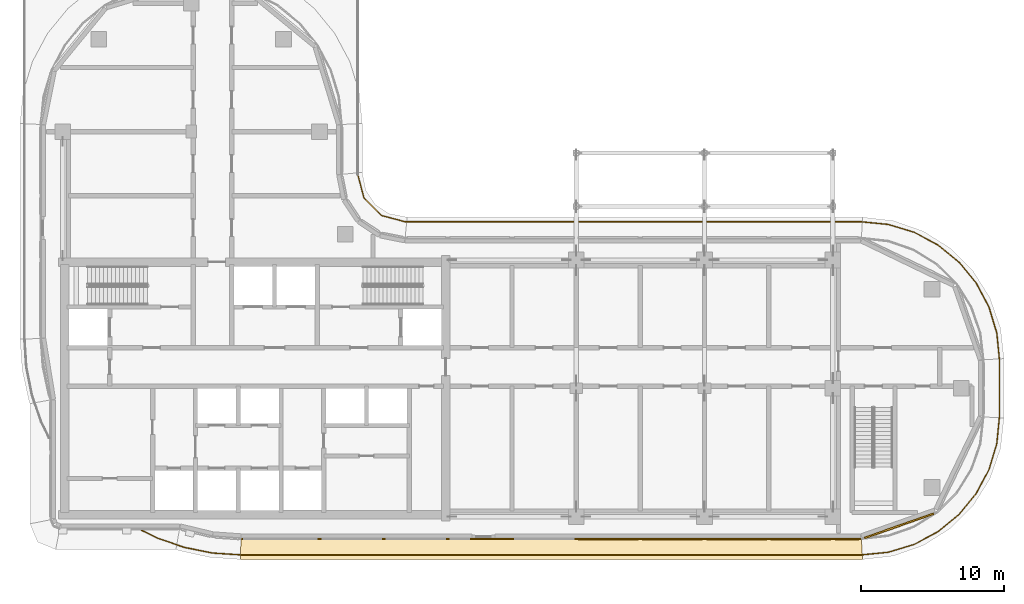
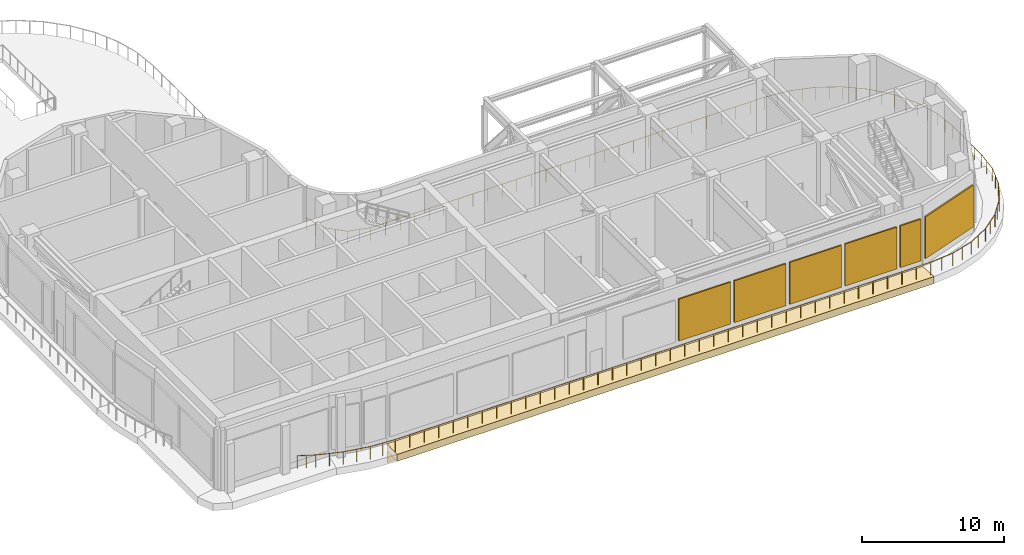
# One storey, part 15 of 18: 6 shading devices, 2 coverings, 1 railing.
"""IFC4 building model written with IfcOpenShell, lengths in metres."""

from ifc_helpers import new_model, si_unit, direction, frame, origin, origin_2d, place, context, subcontext, project, spatial, polyline, rectangle, circle, outline, extrude, material, layer, layer_set, type_object, element, save


model = new_model("IFC4")

# Units and contexts
model_context = context("Model", 3, precision=1e-05, world=origin(), true_north=direction((0.0, 1.0)))
body_context = subcontext(model_context, "Body", "Model", "MODEL_VIEW")
ifc_project = project(units=[si_unit("LENGTHUNIT", "METRE"), si_unit("AREAUNIT", "SQUARE_METRE"), si_unit("VOLUMEUNIT", "CUBIC_METRE"), si_unit("PLANEANGLEUNIT", "RADIAN"), si_unit("MASSUNIT", "GRAM", prefix="KILO")], contexts=[model_context])

# Site, building, storey
site_placement = place(None, origin())
site = spatial("IfcSite", under=ifc_project, at=site_placement, CompositionType="ELEMENT")
building_placement = place(site_placement, origin())
building = spatial("IfcBuilding", under=site, at=building_placement, Name="Ogive Portal Towers", CompositionType="ELEMENT")
storey_placement = place(building_placement, frame((0.0, 0.0, 190.300048828125)))
storey = spatial("IfcBuildingStorey", under=building, at=storey_placement, Name="L47", CompositionType="ELEMENT", Elevation=190.300048828125)

# Railing
ifc_material_1 = material(Name="Steel S355", Category="steel")
railing_type = type_object("IfcRailingType", Name="BALUSTRADE GLASS 1100", PredefinedType="BALUSTRADE", material=ifc_material_1)
railing_placement = place(storey_placement, frame((52.179931640625, 45.5, 0.0)))
element("IfcRailing", 1, at=railing_placement, inside=storey, type_object=railing_type, Name="UNDER STUB ROOF GUARD 3", PredefinedType="BALUSTRADE", context=body_context, shape_type="SweptSolid", body=[
    extrude(circle(Radius=0.02392578125, at=origin_2d()), frame((0.0, 0.0, 1.076171875), z_axis=(0.258979878326, -0.965882716805, 0.0), x_axis=(0.965882716805, 0.258979878326, 0.0)), (0.0, 0.0, 1.0), 1.718505859375),
    extrude(circle(Radius=0.02392578125, at=origin_2d()), frame((0.445068359375, -1.659912109375, 1.076171875), z_axis=(0.707106781187, -0.707106781187, 0.0), x_axis=(0.707106781187, 0.707106781187, 0.0)), (0.0, 0.0, 1.0), 1.718505859375),
    extrude(circle(Radius=0.02392578125, at=origin_2d()), frame((1.66015625, -2.875, 1.076171875), z_axis=(0.965882716805, -0.258979878326, 0.0), x_axis=(0.258979878326, 0.965882716805, 0.0)), (0.0, 0.0, 1.0), 1.718505859375),
    extrude(circle(Radius=0.02392578125, at=origin_2d()), frame((3.320068359375, -3.320068359375, 1.076171875), z_axis=(1.0, 0.0, 0.0), x_axis=(0.0, 1.0, 0.0)), (0.0, 0.0, 1.0), 32.0),
    extrude(circle(Radius=0.02392578125, at=origin_2d()), frame((35.320068359375, -3.320068359375, 1.076171875), z_axis=(0.995180131333, -0.09806378638, 0.0), x_axis=(0.09806378638, 0.995180131333, 0.0)), (0.0, 0.0, 1.0), 1.89697265625),
    extrude(circle(Radius=0.02392578125, at=origin_2d()), frame((37.2080078125, -3.506103515625, 1.076171875), z_axis=(0.956961630241, -0.290214469394, 0.0), x_axis=(0.290214469394, 0.956961630241, 0.0)), (0.0, 0.0, 1.0), 1.89794921875),
    extrude(circle(Radius=0.02392578125, at=origin_2d()), frame((39.024169921875, -4.056884765625, 1.076171875), z_axis=(0.882060737099, -0.47113570876, 0.0), x_axis=(0.47113570876, 0.882060737099, 0.0)), (0.0, 0.0, 1.0), 1.897705078125),
    extrude(circle(Radius=0.02392578125, at=origin_2d()), frame((40.697998046875, -4.950927734375, 1.076171875), z_axis=(0.772976315483, -0.634434879008, 0.0), x_axis=(0.634434879008, 0.772976315483, 0.0)), (0.0, 0.0, 1.0), 1.89794921875),
    extrude(circle(Radius=0.02392578125, at=origin_2d()), frame((42.1650390625, -6.155029296875, 1.076171875), z_axis=(0.634434879008, -0.772976315483, 0.0), x_axis=(0.772976315483, 0.634434879008, 0.0)), (0.0, 0.0, 1.0), 1.89794921875),
    extrude(circle(Radius=0.02392578125, at=origin_2d()), frame((43.369140625, -7.6220703125, 1.076171875), z_axis=(0.47113570876, -0.882060737099, 0.0), x_axis=(0.882060737099, 0.47113570876, 0.0)), (0.0, 0.0, 1.0), 1.897705078125),
    extrude(circle(Radius=0.02392578125, at=origin_2d()), frame((44.26318359375, -9.2958984375, 1.076171875), z_axis=(0.290214469394, -0.956961630241, 0.0), x_axis=(0.956961630241, 0.290214469394, 0.0)), (0.0, 0.0, 1.0), 1.89794921875),
    extrude(circle(Radius=0.02392578125, at=origin_2d()), frame((44.81396484375, -11.112060546875, 1.076171875), z_axis=(0.09806378638, -0.995180131333, 0.0), x_axis=(0.995180131333, 0.09806378638, 0.0)), (0.0, 0.0, 1.0), 1.89697265625),
    extrude(circle(Radius=0.02392578125, at=origin_2d()), frame((45.0, -13.0, 1.076171875), z_axis=(0.0, -1.0, 0.0), x_axis=(1.0, 0.0, 0.0)), (0.0, 0.0, 1.0), 4.0),
    extrude(circle(Radius=0.02392578125, at=origin_2d()), frame((45.0, -17.0, 1.076171875), z_axis=(-0.09806378638, -0.995180131333, 0.0), x_axis=(0.995180131333, -0.09806378638, 0.0)), (0.0, 0.0, 1.0), 1.89697265625),
    extrude(circle(Radius=0.02392578125, at=origin_2d()), frame((44.81396484375, -18.887939453125, 1.076171875), z_axis=(-0.290214469394, -0.956961630241, 0.0), x_axis=(0.956961630241, -0.290214469394, 0.0)), (0.0, 0.0, 1.0), 1.89794921875),
    extrude(circle(Radius=0.02392578125, at=origin_2d()), frame((44.26318359375, -20.7041015625, 1.076171875), z_axis=(-0.47113570876, -0.882060737099, 0.0), x_axis=(0.882060737099, -0.47113570876, 0.0)), (0.0, 0.0, 1.0), 1.897705078125),
    extrude(circle(Radius=0.02392578125, at=origin_2d()), frame((43.369140625, -22.3779296875, 1.076171875), z_axis=(-0.634434879008, -0.772976315483, 0.0), x_axis=(0.772976315483, -0.634434879008, 0.0)), (0.0, 0.0, 1.0), 1.89794921875),
    extrude(circle(Radius=0.02392578125, at=origin_2d()), frame((42.1650390625, -23.844970703125, 1.076171875), z_axis=(-0.772976315483, -0.634434879008, 0.0), x_axis=(0.634434879008, -0.772976315483, 0.0)), (0.0, 0.0, 1.0), 1.89794921875),
    extrude(circle(Radius=0.02392578125, at=origin_2d()), frame((40.697998046875, -25.049072265625, 1.076171875), z_axis=(-0.882060737099, -0.47113570876, 0.0), x_axis=(0.47113570876, -0.882060737099, 0.0)), (0.0, 0.0, 1.0), 1.897705078125),
    extrude(circle(Radius=0.02392578125, at=origin_2d()), frame((39.024169921875, -25.943115234375, 1.076171875), z_axis=(-0.956961630241, -0.290214469394, 0.0), x_axis=(0.290214469394, -0.956961630241, 0.0)), (0.0, 0.0, 1.0), 1.89794921875),
    extrude(circle(Radius=0.02392578125, at=origin_2d()), frame((37.2080078125, -26.493896484375, 1.076171875), z_axis=(-0.995180131333, -0.09806378638, 0.0), x_axis=(0.09806378638, -0.995180131333, 0.0)), (0.0, 0.0, 1.0), 1.89697265625),
    extrude(circle(Radius=0.02392578125, at=origin_2d()), frame((35.320068359375, -26.679931640625, 1.076171875), z_axis=(-1.0, 0.0, 0.0), x_axis=(0.0, -1.0, 0.0)), (0.0, 0.0, 1.0), 43.5),
    extrude(circle(Radius=0.02392578125, at=origin_2d()), frame((-8.179931640625, -26.679931640625, 1.076171875), z_axis=(-0.997857475557, 0.065425212842, 0.0), x_axis=(-0.065425212842, -0.997857475557, 0.0)), (0.0, 0.0, 1.0), 1.985107421875),
    extrude(circle(Radius=0.02392578125, at=origin_2d()), frame((-10.160888671875, -26.550048828125, 1.076171875), z_axis=(-0.980835154849, 0.194839418528, 0.0), x_axis=(-0.194839418528, -0.980835154849, 0.0)), (0.0, 0.0, 1.0), 1.986083984375),
    extrude(circle(Radius=0.02392578125, at=origin_2d()), frame((-12.10888671875, -26.1630859375, 1.076171875), z_axis=(-0.94678548362, 0.321865263747, 0.0), x_axis=(-0.321865263747, -0.94678548362, 0.0)), (0.0, 0.0, 1.0), 1.98583984375),
    extrude(circle(Radius=0.02392578125, at=origin_2d()), frame((-13.989013671875, -25.52392578125, 1.076171875), z_axis=(-0.897043432298, 0.441942395082, 0.0), x_axis=(-0.441942395082, -0.897043432298, 0.0)), (0.0, 0.0, 1.0), 1.298828125),
    extrude(circle(Radius=0.02099609375, at=origin_2d()), origin(), (0.0, 0.0, 1.0), 1.052001953125),
    extrude(circle(Radius=0.02099609375, at=origin_2d()), frame((0.22265625, -0.830078125, 0.0)), (0.0, 0.0, 1.0), 1.052001953125),
    extrude(circle(Radius=0.02099609375, at=origin_2d()), frame((0.445068359375, -1.659912109375, 0.0)), (0.0, 0.0, 1.0), 1.052001953125),
    extrude(circle(Radius=0.02099609375, at=origin_2d()), frame((1.052734375, -2.267578125, 0.0)), (0.0, 0.0, 1.0), 1.052001953125),
    extrude(circle(Radius=0.02099609375, at=origin_2d()), frame((1.66015625, -2.875, 0.0)), (0.0, 0.0, 1.0), 1.052001953125),
    extrude(circle(Radius=0.02099609375, at=origin_2d()), frame((2.490234375, -3.09765625, 0.0)), (0.0, 0.0, 1.0), 1.052001953125),
    extrude(circle(Radius=0.02099609375, at=origin_2d()), frame((3.320068359375, -3.320068359375, 0.0)), (0.0, 0.0, 1.0), 1.052001953125),
    extrude(circle(Radius=0.02099609375, at=origin_2d()), frame((4.50537109375, -3.320068359375, 0.0)), (0.0, 0.0, 1.0), 1.052001953125),
    extrude(circle(Radius=0.02099609375, at=origin_2d()), frame((5.6904296875, -3.320068359375, 0.0)), (0.0, 0.0, 1.0), 1.052001953125),
    extrude(circle(Radius=0.02099609375, at=origin_2d()), frame((6.875732421875, -3.320068359375, 0.0)), (0.0, 0.0, 1.0), 1.052001953125),
    extrude(circle(Radius=0.02099609375, at=origin_2d()), frame((8.060791015625, -3.320068359375, 0.0)), (0.0, 0.0, 1.0), 1.052001953125),
    extrude(circle(Radius=0.02099609375, at=origin_2d()), frame((9.24609375, -3.320068359375, 0.0)), (0.0, 0.0, 1.0), 1.052001953125),
    extrude(circle(Radius=0.02099609375, at=origin_2d()), frame((10.43115234375, -3.320068359375, 0.0)), (0.0, 0.0, 1.0), 1.052001953125),
    extrude(circle(Radius=0.02099609375, at=origin_2d()), frame((11.616455078125, -3.320068359375, 0.0)), (0.0, 0.0, 1.0), 1.052001953125),
    extrude(circle(Radius=0.02099609375, at=origin_2d()), frame((12.801513671875, -3.320068359375, 0.0)), (0.0, 0.0, 1.0), 1.052001953125),
    extrude(circle(Radius=0.02099609375, at=origin_2d()), frame((13.98681640625, -3.320068359375, 0.0)), (0.0, 0.0, 1.0), 1.052001953125),
    extrude(circle(Radius=0.02099609375, at=origin_2d()), frame((15.171875, -3.320068359375, 0.0)), (0.0, 0.0, 1.0), 1.052001953125),
    extrude(circle(Radius=0.02099609375, at=origin_2d()), frame((16.357177734375, -3.320068359375, 0.0)), (0.0, 0.0, 1.0), 1.052001953125),
    extrude(circle(Radius=0.02099609375, at=origin_2d()), frame((17.542236328125, -3.320068359375, 0.0)), (0.0, 0.0, 1.0), 1.052001953125),
    extrude(circle(Radius=0.02099609375, at=origin_2d()), frame((18.7275390625, -3.320068359375, 0.0)), (0.0, 0.0, 1.0), 1.052001953125),
    extrude(circle(Radius=0.02099609375, at=origin_2d()), frame((19.91259765625, -3.320068359375, 0.0)), (0.0, 0.0, 1.0), 1.052001953125),
    extrude(circle(Radius=0.02099609375, at=origin_2d()), frame((21.097900390625, -3.320068359375, 0.0)), (0.0, 0.0, 1.0), 1.052001953125),
    extrude(circle(Radius=0.02099609375, at=origin_2d()), frame((22.282958984375, -3.320068359375, 0.0)), (0.0, 0.0, 1.0), 1.052001953125),
    extrude(circle(Radius=0.02099609375, at=origin_2d()), frame((23.46826171875, -3.320068359375, 0.0)), (0.0, 0.0, 1.0), 1.052001953125),
    extrude(circle(Radius=0.02099609375, at=origin_2d()), frame((24.6533203125, -3.320068359375, 0.0)), (0.0, 0.0, 1.0), 1.052001953125),
    extrude(circle(Radius=0.02099609375, at=origin_2d()), frame((25.838623046875, -3.320068359375, 0.0)), (0.0, 0.0, 1.0), 1.052001953125),
    extrude(circle(Radius=0.02099609375, at=origin_2d()), frame((27.023681640625, -3.320068359375, 0.0)), (0.0, 0.0, 1.0), 1.052001953125),
    extrude(circle(Radius=0.02099609375, at=origin_2d()), frame((28.208984375, -3.320068359375, 0.0)), (0.0, 0.0, 1.0), 1.052001953125),
    extrude(circle(Radius=0.02099609375, at=origin_2d()), frame((29.39404296875, -3.320068359375, 0.0)), (0.0, 0.0, 1.0), 1.052001953125),
    extrude(circle(Radius=0.02099609375, at=origin_2d()), frame((30.579345703125, -3.320068359375, 0.0)), (0.0, 0.0, 1.0), 1.052001953125),
    extrude(circle(Radius=0.02099609375, at=origin_2d()), frame((31.764404296875, -3.320068359375, 0.0)), (0.0, 0.0, 1.0), 1.052001953125),
    extrude(circle(Radius=0.02099609375, at=origin_2d()), frame((32.94970703125, -3.320068359375, 0.0)), (0.0, 0.0, 1.0), 1.052001953125),
    extrude(circle(Radius=0.02099609375, at=origin_2d()), frame((34.134765625, -3.320068359375, 0.0)), (0.0, 0.0, 1.0), 1.052001953125),
    extrude(circle(Radius=0.02099609375, at=origin_2d()), frame((35.320068359375, -3.320068359375, 0.0)), (0.0, 0.0, 1.0), 1.052001953125),
    extrude(circle(Radius=0.02099609375, at=origin_2d()), frame((36.26416015625, -3.4130859375, 0.0)), (0.0, 0.0, 1.0), 1.052001953125),
    extrude(circle(Radius=0.02099609375, at=origin_2d()), frame((37.2080078125, -3.506103515625, 0.0)), (0.0, 0.0, 1.0), 1.052001953125),
    extrude(circle(Radius=0.02099609375, at=origin_2d()), frame((38.1162109375, -3.781494140625, 0.0)), (0.0, 0.0, 1.0), 1.052001953125),
    extrude(circle(Radius=0.02099609375, at=origin_2d()), frame((39.024169921875, -4.056884765625, 0.0)), (0.0, 0.0, 1.0), 1.052001953125),
    extrude(circle(Radius=0.02099609375, at=origin_2d()), frame((39.861083984375, -4.50390625, 0.0)), (0.0, 0.0, 1.0), 1.052001953125),
    extrude(circle(Radius=0.02099609375, at=origin_2d()), frame((40.697998046875, -4.950927734375, 0.0)), (0.0, 0.0, 1.0), 1.052001953125),
    extrude(circle(Radius=0.02099609375, at=origin_2d()), frame((41.431640625, -5.552978515625, 0.0)), (0.0, 0.0, 1.0), 1.052001953125),
    extrude(circle(Radius=0.02099609375, at=origin_2d()), frame((42.1650390625, -6.155029296875, 0.0)), (0.0, 0.0, 1.0), 1.052001953125),
    extrude(circle(Radius=0.02099609375, at=origin_2d()), frame((42.76708984375, -6.888671875, 0.0)), (0.0, 0.0, 1.0), 1.052001953125),
    extrude(circle(Radius=0.02099609375, at=origin_2d()), frame((43.369140625, -7.6220703125, 0.0)), (0.0, 0.0, 1.0), 1.052001953125),
    extrude(circle(Radius=0.02099609375, at=origin_2d()), frame((43.816162109375, -8.458984375, 0.0)), (0.0, 0.0, 1.0), 1.052001953125),
    extrude(circle(Radius=0.02099609375, at=origin_2d()), frame((44.26318359375, -9.2958984375, 0.0)), (0.0, 0.0, 1.0), 1.052001953125),
    extrude(circle(Radius=0.02099609375, at=origin_2d()), frame((44.53857421875, -10.2041015625, 0.0)), (0.0, 0.0, 1.0), 1.052001953125),
    extrude(circle(Radius=0.02099609375, at=origin_2d()), frame((44.81396484375, -11.112060546875, 0.0)), (0.0, 0.0, 1.0), 1.052001953125),
    extrude(circle(Radius=0.02099609375, at=origin_2d()), frame((44.906982421875, -12.05615234375, 0.0)), (0.0, 0.0, 1.0), 1.052001953125),
    extrude(circle(Radius=0.02099609375, at=origin_2d()), frame((45.0, -13.0, 0.0)), (0.0, 0.0, 1.0), 1.052001953125),
    extrude(circle(Radius=0.02099609375, at=origin_2d()), frame((45.0, -14.0, 0.0)), (0.0, 0.0, 1.0), 1.052001953125),
    extrude(circle(Radius=0.02099609375, at=origin_2d()), frame((45.0, -15.0, 0.0)), (0.0, 0.0, 1.0), 1.052001953125),
    extrude(circle(Radius=0.02099609375, at=origin_2d()), frame((45.0, -16.0, 0.0)), (0.0, 0.0, 1.0), 1.052001953125),
    extrude(circle(Radius=0.02099609375, at=origin_2d()), frame((45.0, -17.0, 0.0)), (0.0, 0.0, 1.0), 1.052001953125),
    extrude(circle(Radius=0.02099609375, at=origin_2d()), frame((44.906982421875, -17.94384765625, 0.0)), (0.0, 0.0, 1.0), 1.052001953125),
    extrude(circle(Radius=0.02099609375, at=origin_2d()), frame((44.81396484375, -18.887939453125, 0.0)), (0.0, 0.0, 1.0), 1.052001953125),
    extrude(circle(Radius=0.02099609375, at=origin_2d()), frame((44.53857421875, -19.7958984375, 0.0)), (0.0, 0.0, 1.0), 1.052001953125),
    extrude(circle(Radius=0.02099609375, at=origin_2d()), frame((44.26318359375, -20.7041015625, 0.0)), (0.0, 0.0, 1.0), 1.052001953125),
    extrude(circle(Radius=0.02099609375, at=origin_2d()), frame((43.816162109375, -21.541015625, 0.0)), (0.0, 0.0, 1.0), 1.052001953125),
    extrude(circle(Radius=0.02099609375, at=origin_2d()), frame((43.369140625, -22.3779296875, 0.0)), (0.0, 0.0, 1.0), 1.052001953125),
    extrude(circle(Radius=0.02099609375, at=origin_2d()), frame((42.76708984375, -23.111328125, 0.0)), (0.0, 0.0, 1.0), 1.052001953125),
    extrude(circle(Radius=0.02099609375, at=origin_2d()), frame((42.1650390625, -23.844970703125, 0.0)), (0.0, 0.0, 1.0), 1.052001953125),
    extrude(circle(Radius=0.02099609375, at=origin_2d()), frame((41.431640625, -24.447021484375, 0.0)), (0.0, 0.0, 1.0), 1.052001953125),
    extrude(circle(Radius=0.02099609375, at=origin_2d()), frame((40.697998046875, -25.049072265625, 0.0)), (0.0, 0.0, 1.0), 1.052001953125),
    extrude(circle(Radius=0.02099609375, at=origin_2d()), frame((39.861083984375, -25.49609375, 0.0)), (0.0, 0.0, 1.0), 1.052001953125),
    extrude(circle(Radius=0.02099609375, at=origin_2d()), frame((39.024169921875, -25.943115234375, 0.0)), (0.0, 0.0, 1.0), 1.052001953125),
    extrude(circle(Radius=0.02099609375, at=origin_2d()), frame((38.1162109375, -26.218505859375, 0.0)), (0.0, 0.0, 1.0), 1.052001953125),
    extrude(circle(Radius=0.02099609375, at=origin_2d()), frame((37.2080078125, -26.493896484375, 0.0)), (0.0, 0.0, 1.0), 1.052001953125),
    extrude(circle(Radius=0.02099609375, at=origin_2d()), frame((36.26416015625, -26.5869140625, 0.0)), (0.0, 0.0, 1.0), 1.052001953125),
    extrude(circle(Radius=0.02099609375, at=origin_2d()), frame((35.320068359375, -26.679931640625, 0.0)), (0.0, 0.0, 1.0), 1.052001953125),
    extrude(circle(Radius=0.02099609375, at=origin_2d()), frame((34.144287109375, -26.679931640625, 0.0)), (0.0, 0.0, 1.0), 1.052001953125),
    extrude(circle(Radius=0.02099609375, at=origin_2d()), frame((32.96875, -26.679931640625, 0.0)), (0.0, 0.0, 1.0), 1.052001953125),
    extrude(circle(Radius=0.02099609375, at=origin_2d()), frame((31.79296875, -26.679931640625, 0.0)), (0.0, 0.0, 1.0), 1.052001953125),
    extrude(circle(Radius=0.02099609375, at=origin_2d()), frame((30.617431640625, -26.679931640625, 0.0)), (0.0, 0.0, 1.0), 1.052001953125),
    extrude(circle(Radius=0.02099609375, at=origin_2d()), frame((29.441650390625, -26.679931640625, 0.0)), (0.0, 0.0, 1.0), 1.052001953125),
    extrude(circle(Radius=0.02099609375, at=origin_2d()), frame((28.26611328125, -26.679931640625, 0.0)), (0.0, 0.0, 1.0), 1.052001953125),
    extrude(circle(Radius=0.02099609375, at=origin_2d()), frame((27.09033203125, -26.679931640625, 0.0)), (0.0, 0.0, 1.0), 1.052001953125),
    extrude(circle(Radius=0.02099609375, at=origin_2d()), frame((25.91455078125, -26.679931640625, 0.0)), (0.0, 0.0, 1.0), 1.052001953125),
    extrude(circle(Radius=0.02099609375, at=origin_2d()), frame((24.739013671875, -26.679931640625, 0.0)), (0.0, 0.0, 1.0), 1.052001953125),
    extrude(circle(Radius=0.02099609375, at=origin_2d()), frame((23.563232421875, -26.679931640625, 0.0)), (0.0, 0.0, 1.0), 1.052001953125),
    extrude(circle(Radius=0.02099609375, at=origin_2d()), frame((22.3876953125, -26.679931640625, 0.0)), (0.0, 0.0, 1.0), 1.052001953125),
    extrude(circle(Radius=0.02099609375, at=origin_2d()), frame((21.2119140625, -26.679931640625, 0.0)), (0.0, 0.0, 1.0), 1.052001953125),
    extrude(circle(Radius=0.02099609375, at=origin_2d()), frame((20.036376953125, -26.679931640625, 0.0)), (0.0, 0.0, 1.0), 1.052001953125),
    extrude(circle(Radius=0.02099609375, at=origin_2d()), frame((18.860595703125, -26.679931640625, 0.0)), (0.0, 0.0, 1.0), 1.052001953125),
    extrude(circle(Radius=0.02099609375, at=origin_2d()), frame((17.684814453125, -26.679931640625, 0.0)), (0.0, 0.0, 1.0), 1.052001953125),
    extrude(circle(Radius=0.02099609375, at=origin_2d()), frame((16.50927734375, -26.679931640625, 0.0)), (0.0, 0.0, 1.0), 1.052001953125),
    extrude(circle(Radius=0.02099609375, at=origin_2d()), frame((15.33349609375, -26.679931640625, 0.0)), (0.0, 0.0, 1.0), 1.052001953125),
    extrude(circle(Radius=0.02099609375, at=origin_2d()), frame((14.157958984375, -26.679931640625, 0.0)), (0.0, 0.0, 1.0), 1.052001953125),
    extrude(circle(Radius=0.02099609375, at=origin_2d()), frame((12.982177734375, -26.679931640625, 0.0)), (0.0, 0.0, 1.0), 1.052001953125),
    extrude(circle(Radius=0.02099609375, at=origin_2d()), frame((11.806640625, -26.679931640625, 0.0)), (0.0, 0.0, 1.0), 1.052001953125),
    extrude(circle(Radius=0.02099609375, at=origin_2d()), frame((10.630859375, -26.679931640625, 0.0)), (0.0, 0.0, 1.0), 1.052001953125),
    extrude(circle(Radius=0.02099609375, at=origin_2d()), frame((9.455322265625, -26.679931640625, 0.0)), (0.0, 0.0, 1.0), 1.052001953125),
    extrude(circle(Radius=0.02099609375, at=origin_2d()), frame((8.279541015625, -26.679931640625, 0.0)), (0.0, 0.0, 1.0), 1.052001953125),
    extrude(circle(Radius=0.02099609375, at=origin_2d()), frame((7.103759765625, -26.679931640625, 0.0)), (0.0, 0.0, 1.0), 1.052001953125),
    extrude(circle(Radius=0.02099609375, at=origin_2d()), frame((5.92822265625, -26.679931640625, 0.0)), (0.0, 0.0, 1.0), 1.052001953125),
    extrude(circle(Radius=0.02099609375, at=origin_2d()), frame((4.75244140625, -26.679931640625, 0.0)), (0.0, 0.0, 1.0), 1.052001953125),
    extrude(circle(Radius=0.02099609375, at=origin_2d()), frame((3.576904296875, -26.679931640625, 0.0)), (0.0, 0.0, 1.0), 1.052001953125),
    extrude(circle(Radius=0.02099609375, at=origin_2d()), frame((2.401123046875, -26.679931640625, 0.0)), (0.0, 0.0, 1.0), 1.052001953125),
    extrude(circle(Radius=0.02099609375, at=origin_2d()), frame((1.2255859375, -26.679931640625, 0.0)), (0.0, 0.0, 1.0), 1.052001953125),
    extrude(circle(Radius=0.02099609375, at=origin_2d()), frame((0.0498046875, -26.679931640625, 0.0)), (0.0, 0.0, 1.0), 1.052001953125),
    extrude(circle(Radius=0.02099609375, at=origin_2d()), frame((-1.1259765625, -26.679931640625, 0.0)), (0.0, 0.0, 1.0), 1.052001953125),
    extrude(circle(Radius=0.02099609375, at=origin_2d()), frame((-2.301513671875, -26.679931640625, 0.0)), (0.0, 0.0, 1.0), 1.052001953125),
    extrude(circle(Radius=0.02099609375, at=origin_2d()), frame((-3.477294921875, -26.679931640625, 0.0)), (0.0, 0.0, 1.0), 1.052001953125),
    extrude(circle(Radius=0.02099609375, at=origin_2d()), frame((-4.65283203125, -26.679931640625, 0.0)), (0.0, 0.0, 1.0), 1.052001953125),
    extrude(circle(Radius=0.02099609375, at=origin_2d()), frame((-5.82861328125, -26.679931640625, 0.0)), (0.0, 0.0, 1.0), 1.052001953125),
    extrude(circle(Radius=0.02099609375, at=origin_2d()), frame((-7.004150390625, -26.679931640625, 0.0)), (0.0, 0.0, 1.0), 1.052001953125),
    extrude(circle(Radius=0.02099609375, at=origin_2d()), frame((-8.179931640625, -26.679931640625, 0.0)), (0.0, 0.0, 1.0), 1.052001953125),
    extrude(circle(Radius=0.02099609375, at=origin_2d()), frame((-9.17041015625, -26.614990234375, 0.0)), (0.0, 0.0, 1.0), 1.052001953125),
    extrude(circle(Radius=0.02099609375, at=origin_2d()), frame((-10.160888671875, -26.550048828125, 0.0)), (0.0, 0.0, 1.0), 1.052001953125),
    extrude(circle(Radius=0.02099609375, at=origin_2d()), frame((-11.134765625, -26.3564453125, 0.0)), (0.0, 0.0, 1.0), 1.052001953125),
    extrude(circle(Radius=0.02099609375, at=origin_2d()), frame((-12.10888671875, -26.1630859375, 0.0)), (0.0, 0.0, 1.0), 1.052001953125),
    extrude(circle(Radius=0.02099609375, at=origin_2d()), frame((-13.048828125, -25.843505859375, 0.0)), (0.0, 0.0, 1.0), 1.052001953125),
    extrude(circle(Radius=0.02099609375, at=origin_2d()), frame((-13.989013671875, -25.52392578125, 0.0)), (0.0, 0.0, 1.0), 1.052001953125),
    extrude(circle(Radius=0.02099609375, at=origin_2d()), frame((-14.571533203125, -25.23681640625, 0.0)), (0.0, 0.0, 1.0), 1.052001953125),
    extrude(circle(Radius=0.02099609375, at=origin_2d()), frame((-15.154052734375, -24.949951171875, 0.0)), (0.0, 0.0, 1.0), 1.052001953125),
])

# Shading devices
ifc_material_2 = material(Name="Aluminium 6063 anodised", Category="aluminium")
ifc_layer_1 = layer(ifc_material_2, 0.1201171875)
ifc_layer_set_1 = layer_set([ifc_layer_1], Name="LOUVRE BANK ALUMINIUM")
shading_device_type = type_object("IfcShadingDeviceType", Name="LOUVRE BANK ALUMINIUM", PredefinedType="USERDEFINED", material=ifc_layer_set_1)
for number, where, z_axis, x_axis, name in (
    (2, (69.75, 19.93994140625, 0.599853515625), (0.0, 0.0, 1.0), (1.0, 0.0, 0.0), "Louvre bank 3"),
    (3, (74.25, 19.93994140625, 0.599853515625), (0.0, 0.0, 1.0), (1.0, 0.0, 0.0), "Louvre bank 4"),
    (4, (78.75, 19.93994140625, 0.599853515625), (0.0, 0.0, 1.0), (1.0, 0.0, 0.0), "Louvre bank 5"),
    (5, (83.25, 19.93994140625, 0.599853515625), (0.0, 0.0, 1.0), (1.0, 0.0, 0.0), "Louvre bank 6"),
):
    element("IfcShadingDevice", number, at=place(storey_placement, frame(where, z_axis=z_axis, x_axis=x_axis)), inside=storey, type_object=shading_device_type, Name=name, ObjectType="LOUVRE", PredefinedType="USERDEFINED", context=body_context, shape_type="SweptSolid", body=[
        extrude(rectangle(XDim=4.199951171875, YDim=0.1201171875, at=origin_2d()), origin(), (0.0, 0.0, 1.0), 3.60009765625),
    ])
shading_device_1_placement = place(storey_placement, frame((86.474609375, 19.93994140625, 0.599853515625), z_axis=(0.0, 0.0, 1.0), x_axis=(1.0, 0.0, 0.0)))
element("IfcShadingDevice", 6, at=shading_device_1_placement, inside=storey, type_object=shading_device_type, Name="Louvre bank 7", ObjectType="LOUVRE", PredefinedType="USERDEFINED", context=body_context, shape_type="SweptSolid", body=[
    extrude(rectangle(XDim=1.64892578125, YDim=0.1201171875, at=origin_2d()), origin(), (0.0, 0.0, 1.0), 3.60009765625),
])
shading_device_2_placement = place(storey_placement, frame((90.135009765625, 20.8583984375, 0.599853515625), z_axis=(0.0, 0.0, 1.0), x_axis=(0.943883330307, 0.33027906196, 0.0)))
element("IfcShadingDevice", 7, at=shading_device_2_placement, inside=storey, type_object=shading_device_type, Name="Louvre bank 1", ObjectType="LOUVRE", PredefinedType="USERDEFINED", context=body_context, shape_type="SweptSolid", body=[
    extrude(rectangle(XDim=5.139404296875, YDim=0.1201171875, at=origin_2d()), origin(), (0.0, 0.0, 1.0), 3.60009765625),
])

# Coverings
ifc_material_3 = material(Name="Limestone cladding on lightweight block wall", Category="masonry")
ifc_layer_2 = layer(ifc_material_3, 0.080078125)
ifc_layer_set_2 = layer_set([ifc_layer_2], Name="STONE SPANDREL 80")
covering_type_1 = type_object("IfcCoveringType", Name="STONE SPANDREL 80", PredefinedType="CLADDING", material=ifc_layer_set_2)
covering_1_placement = place(storey_placement, frame((0.0, 0.0, -1.60009765625)))
element("IfcCovering", 8, at=covering_1_placement, inside=storey, type_object=covering_type_1, Name="Stone spandrel A1-F05", PredefinedType="CLADDING", context=body_context, shape_type="SweptSolid", body=[
    extrude(outline(polyline([(44.0, 20.0), (87.5, 20.0), (87.50439453125, 19.919921875), (43.9970703125, 19.919921875), (44.0, 20.0)])), origin(), (0.0, 0.0, 1.0), 1.0),
])
ifc_layer_3 = layer(ifc_material_3, 0.60009765625)
ifc_layer_set_3 = layer_set([ifc_layer_3], Name="SUNSHADE LIP 600")
covering_type_2 = type_object("IfcCoveringType", Name="SUNSHADE LIP 600", PredefinedType="CLADDING", material=ifc_layer_set_3)
covering_2_placement = place(storey_placement, frame((0.0, 0.0, -0.60009765625)))
element("IfcCovering", 9, at=covering_2_placement, inside=storey, type_object=covering_type_2, Name="Sunshade lip A1-F05", PredefinedType="CLADDING", context=body_context, shape_type="SweptSolid", body=[
    extrude(outline(polyline([(44.0, 20.0), (87.5, 20.0), (87.584228515625, 18.5), (43.946533203125, 18.5), (44.0, 20.0)])), origin(), (0.0, 0.0, 1.0), 0.60009765625),
])

save(model, "model.ifc")
